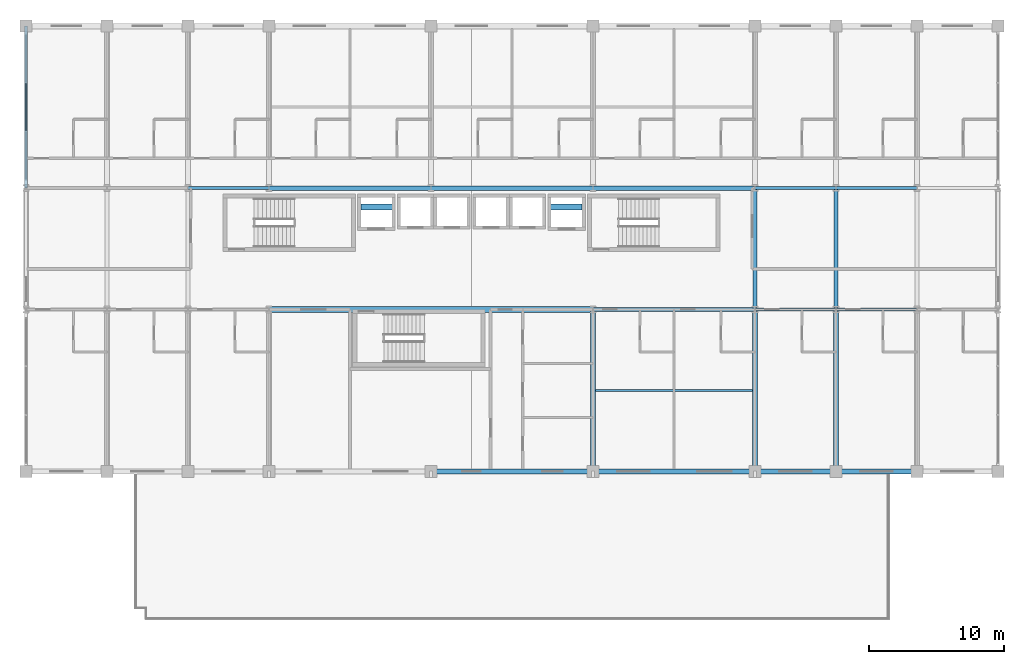
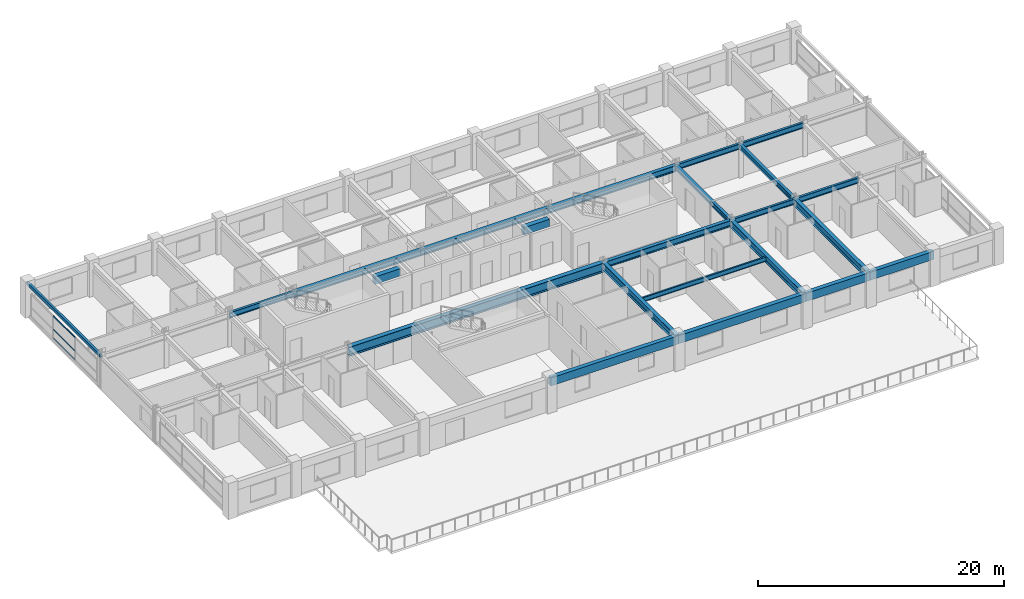
# One storey, part 9 of 24: 23 beams, 3 members, 1 element without a shape of its own.
"""IFC4 building model written with IfcOpenShell, lengths in metres."""

from ifc_helpers import new_model, si_unit, direction, frame, origin, origin_2d, place, context, subcontext, project, spatial, rectangle, hollow_rectangle, i_section, extrude, material, material_profile, profile_set, type_object, element, aggregate, save


model = new_model("IFC4")

# Units and contexts
model_context = context("Model", 3, precision=1e-05, world=origin(), true_north=direction((0.0, 1.0)))
body_context = subcontext(model_context, "Body", "Model", "MODEL_VIEW")
ifc_project = project(units=[si_unit("LENGTHUNIT", "METRE"), si_unit("AREAUNIT", "SQUARE_METRE"), si_unit("VOLUMEUNIT", "CUBIC_METRE"), si_unit("PLANEANGLEUNIT", "RADIAN"), si_unit("MASSUNIT", "GRAM", prefix="KILO")], contexts=[model_context])

# Site, building, storey
site_placement = place(None, origin())
site = spatial("IfcSite", under=ifc_project, at=site_placement, CompositionType="ELEMENT")
building_placement = place(site_placement, origin())
building = spatial("IfcBuilding", under=site, at=building_placement, Name="Kaldorvane Square Convention Centre", CompositionType="ELEMENT")
storey_placement = place(building_placement, frame((0.0, 0.0, 27.600006103515625)))
storey = spatial("IfcBuildingStorey", under=building, at=storey_placement, Name="L05", CompositionType="ELEMENT", Elevation=27.600006103515625)

# Beams
ifc_material_1 = material(Name="Steel ASTM A992 Gr. 50", Category="steel")
ifc_material_profile_1 = material_profile(ifc_material_1, i_section(OverallWidth=0.213897705078125, OverallDepth=0.549102783203125, WebThickness=0.0146942138671875, FlangeThickness=0.0236053466796875, FilletRadius=0.0126953125, at=origin_2d()), Name="W21X93")
ifc_profile_set_1 = profile_set([ifc_material_profile_1], Name="Steel ASTM A992 Gr. 50")
beam_type_1 = type_object("IfcBeamType", Name="BM-GR-W21X93", PredefinedType="BEAM", material=ifc_profile_set_1)
for number, where, z_axis, x_axis, name in (
    (1, (78.0, 96.0, 3.0114898681640625), (1.0, 0.0, 0.0), (0.0, 1.0, 0.0), "Primary Girder (L05)"),
    (2, (84.0, 96.0, 3.0114898681640625), (1.0, 0.0, 0.0), (0.0, 1.0, 0.0), "Primary Girder (L05)"),
    (3, (36.0, 105.0, 3.0114898681640625), (1.0, 0.0, 0.0), (0.0, 1.0, 0.0), "Primary Girder (L05)"),
    (4, (78.0, 105.0, 3.0114898681640625), (1.0, 0.0, 0.0), (0.0, 1.0, 0.0), "Primary Girder (L05)"),
    (5, (84.0, 105.0, 3.0114898681640625), (1.0, 0.0, 0.0), (0.0, 1.0, 0.0), "Primary Girder (L05)"),
):
    element("IfcBeam", number, at=place(storey_placement, frame(where, z_axis=z_axis, x_axis=x_axis)), inside=storey, type_object=beam_type_1, Name=name, PredefinedType="BEAM", context=body_context, shape_type="SweptSolid", body=[
        extrude(i_section(OverallWidth=0.213897705078125, OverallDepth=0.549102783203125, WebThickness=0.0146942138671875, FlangeThickness=0.0236053466796875, FilletRadius=0.0126953125, at=origin_2d()), origin(), (0.0, 0.0, 1.0), 6.0),
    ])
ifc_material_profile_2 = material_profile(ifc_material_1, i_section(OverallWidth=0.326507568359375, OverallDepth=0.621795654296875, WebThickness=0.0153961181640625, FlangeThickness=0.0243988037109375, FilletRadius=0.0126953125, at=origin_2d()), Name="W24X131")
ifc_profile_set_2 = profile_set([ifc_material_profile_2], Name="Steel ASTM A992 Gr. 50")
beam_type_2 = type_object("IfcBeamType", Name="BM-GR-W24X131", PredefinedType="BEAM", material=ifc_profile_set_2)
for number, where, z_axis, x_axis, name in (
    (6, (66.0, 96.0, 2.97509765625), (1.0, 0.0, 0.0), (0.0, 1.0, 0.0), "Primary Girder (L05)"),
    (7, (42.0, 105.0, 2.97509765625), (1.0, 0.0, 0.0), (0.0, 1.0, 0.0), "Primary Girder (L05)"),
    (8, (54.0, 105.0, 2.97509765625), (1.0, 0.0, 0.0), (0.0, 1.0, 0.0), "Primary Girder (L05)"),
    (9, (66.0, 105.0, 2.97509765625), (1.0, 0.0, 0.0), (0.0, 1.0, 0.0), "Primary Girder (L05)"),
):
    element("IfcBeam", number, at=place(storey_placement, frame(where, z_axis=z_axis, x_axis=x_axis)), inside=storey, type_object=beam_type_2, Name=name, PredefinedType="BEAM", context=body_context, shape_type="SweptSolid", body=[
        extrude(i_section(OverallWidth=0.326507568359375, OverallDepth=0.621795654296875, WebThickness=0.0153961181640625, FlangeThickness=0.0243988037109375, FilletRadius=0.0126953125, at=origin_2d()), origin(), (0.0, 0.0, 1.0), 12.0),
    ])
ifc_material_profile_3 = material_profile(ifc_material_1, i_section(OverallWidth=0.354705810546875, OverallDepth=0.69549560546875, WebThickness=0.0153961181640625, FlangeThickness=0.0251007080078125, FilletRadius=0.01519775390625, at=origin_2d()), Name="W27X146")
ifc_profile_set_3 = profile_set([ifc_material_profile_3], Name="Steel ASTM A992 Gr. 50")
beam_type_3 = type_object("IfcBeamType", Name="BM-GR-W27X146", PredefinedType="BEAM", material=ifc_profile_set_3)
for number, where, z_axis, x_axis, name in (
    (10, (66.0, 84.0, 2.93829345703125), (0.0, 1.0, 0.0), (-1.0, 0.0, 0.0), "Transverse Girder (L05)"),
    (11, (78.0, 84.0, 2.93829345703125), (0.0, 1.0, 0.0), (-1.0, 0.0, 0.0), "Transverse Girder (L05)"),
    (12, (84.0, 84.0, 2.93829345703125), (0.0, 1.0, 0.0), (-1.0, 0.0, 0.0), "Transverse Girder (L05)"),
):
    element("IfcBeam", number, at=place(storey_placement, frame(where, z_axis=z_axis, x_axis=x_axis)), inside=storey, type_object=beam_type_3, Name=name, PredefinedType="BEAM", context=body_context, shape_type="SweptSolid", body=[
        extrude(i_section(OverallWidth=0.354705810546875, OverallDepth=0.69549560546875, WebThickness=0.0153961181640625, FlangeThickness=0.0251007080078125, FilletRadius=0.01519775390625, at=origin_2d()), origin(), (0.0, 0.0, 1.0), 12.0),
    ])
ifc_material_profile_4 = material_profile(ifc_material_1, i_section(OverallWidth=0.418304443359375, OverallDepth=0.926605224609375, WebThickness=0.0193023681640625, FlangeThickness=0.0319976806640625, FilletRadius=0.0240936279296875, at=origin_2d()), Name="W36X231")
ifc_profile_set_4 = profile_set([ifc_material_profile_4], Name="Steel ASTM A992 Gr. 50")
beam_type_4 = type_object("IfcBeamType", Name="BM-GR-W36X231", PredefinedType="BEAM", material=ifc_profile_set_4)
beam_1_placement = place(storey_placement, frame((42.0, 96.0, 2.82269287109375), z_axis=(1.0, 0.0, 0.0), x_axis=(0.0, 1.0, 0.0)))
element("IfcBeam", 13, at=beam_1_placement, inside=storey, type_object=beam_type_4, Name="Primary Girder (L05)", PredefinedType="BEAM", context=body_context, shape_type="SweptSolid", body=[
    extrude(i_section(OverallWidth=0.418304443359375, OverallDepth=0.926605224609375, WebThickness=0.0193023681640625, FlangeThickness=0.0319976806640625, FilletRadius=0.0240936279296875, at=origin_2d()), origin(), (0.0, 0.0, 1.0), 24.0),
])
ifc_material_profile_5 = material_profile(ifc_material_1, i_section(OverallWidth=0.152801513671875, OverallDepth=0.4546966552734375, WebThickness=0.00799560546875, FlangeThickness=0.0133056640625, FilletRadius=0.01019287109375, at=origin_2d()), Name="W18X40")
ifc_profile_set_5 = profile_set([ifc_material_profile_5], Name="Steel ASTM A992 Gr. 50")
beam_type_5 = type_object("IfcBeamType", Name="BM-JS-W18X40", PredefinedType="JOIST", material=ifc_profile_set_5)
beam_2_placement = place(storey_placement, frame((66.17739868164062, 90.0, 3.0587005615234375), z_axis=(1.0, 0.0, 0.0), x_axis=(0.0, 1.0, 0.0)))
element("IfcBeam", 14, at=beam_2_placement, inside=storey, type_object=beam_type_5, Name="Secondary Floor Joist (L05)", PredefinedType="JOIST", context=body_context, shape_type="SweptSolid", body=[
    extrude(i_section(OverallWidth=0.152801513671875, OverallDepth=0.4546966552734375, WebThickness=0.00799560546875, FlangeThickness=0.0133056640625, FilletRadius=0.01019287109375, at=origin_2d()), origin(), (0.0, 0.0, 1.0), 11.64520263671875),
])
ifc_material_profile_6 = material_profile(ifc_material_1, i_section(OverallWidth=0.2799072265625, OverallDepth=0.462799072265625, WebThickness=0.01080322265625, FlangeThickness=0.017303466796875, FilletRadius=0.01019287109375, at=origin_2d()), Name="W18X76")
ifc_profile_set_6 = profile_set([ifc_material_profile_6], Name="Steel ASTM A992 Gr. 50")
beam_type_6 = type_object("IfcBeamType", Name="BM-JS-W18X76", PredefinedType="JOIST", material=ifc_profile_set_6)
for number, where, z_axis, x_axis, name in (
    (15, (78.0, 96.0, 3.054595947265625), (0.0, 1.0, 0.0), (-1.0, 0.0, 0.0), "Transverse Girder (L05)"),
    (16, (84.0, 96.0, 3.054595947265625), (0.0, 1.0, 0.0), (-1.0, 0.0, 0.0), "Transverse Girder (L05)"),
):
    element("IfcBeam", number, at=place(storey_placement, frame(where, z_axis=z_axis, x_axis=x_axis)), inside=storey, type_object=beam_type_6, Name=name, PredefinedType="JOIST", context=body_context, shape_type="SweptSolid", body=[
        extrude(i_section(OverallWidth=0.2799072265625, OverallDepth=0.462799072265625, WebThickness=0.01080322265625, FlangeThickness=0.017303466796875, FilletRadius=0.01019287109375, at=origin_2d()), origin(), (0.0, 0.0, 1.0), 9.0),
    ])
ifc_material_2 = material(Name="Concrete f'c = 42 MPa (Normalweight)", Category="concrete")
ifc_material_profile_7 = material_profile(ifc_material_2, rectangle(XDim=0.4499969482421875, YDim=0.75, at=origin_2d()), Name="RCLN750X450")
ifc_profile_set_7 = profile_set([ifc_material_profile_7], Name="Concrete f'c = 42 MPa (Normalweight)")
beam_type_7 = type_object("IfcBeamType", Name="BM-LN-RC750", PredefinedType="LINTEL", material=ifc_profile_set_7)
for number, where, z_axis, x_axis, name in (
    (17, (48.80000305175781, 103.60000610351562, 2.912994384765625), (1.0, 0.0, 0.0), (0.0, 1.0, 0.0), "Core Coupling Lintel W (L05)"),
    (18, (62.80000305175781, 103.60000610351562, 2.912994384765625), (1.0, 0.0, 0.0), (0.0, 1.0, 0.0), "Core Coupling Lintel E (L05)"),
):
    element("IfcBeam", number, at=place(storey_placement, frame(where, z_axis=z_axis, x_axis=x_axis)), inside=storey, type_object=beam_type_7, Name=name, PredefinedType="LINTEL", context=body_context, shape_type="SweptSolid", body=[
        extrude(rectangle(XDim=0.4499969482421875, YDim=0.75, at=origin_2d()), origin(), (0.0, 0.0, 1.0), 2.399993896484375),
    ])
ifc_material_3 = material(Name="Steel ASTM A500 Gr. C", Category="steel")
ifc_material_profile_8 = material_profile(ifc_material_3, hollow_rectangle(XDim=0.2032012939453125, YDim=0.3047943115234375, WallThickness=0.0088958740234375, at=origin_2d()), Name="HSS12X8X3/8")
ifc_profile_set_8 = profile_set([ifc_material_profile_8], Name="Steel ASTM A500 Gr. C")
beam_type_8 = type_object("IfcBeamType", Name="BM-SP-HSS12", PredefinedType="SPANDREL", material=ifc_profile_set_8)
beam_3_placement = place(storey_placement, frame((24.0, 105.0, 3.1335906982421875), z_axis=(0.0, 1.0, 0.0), x_axis=(-1.0, 0.0, 0.0)))
element("IfcBeam", 19, at=beam_3_placement, inside=storey, type_object=beam_type_8, Name="End Spandrel (L05)", PredefinedType="SPANDREL", context=body_context, shape_type="SweptSolid", body=[
    extrude(hollow_rectangle(XDim=0.2032012939453125, YDim=0.3047943115234375, WallThickness=0.0088958740234375, at=origin_2d()), origin(), (0.0, 0.0, 1.0), 12.0),
])
ifc_material_profile_9 = material_profile(ifc_material_2, rectangle(XDim=0.399993896484375, YDim=0.8000030517578125, at=origin_2d()), Name="RCSP800X400")
ifc_profile_set_9 = profile_set([ifc_material_profile_9], Name="Concrete f'c = 42 MPa (Normalweight)")
beam_type_9 = type_object("IfcBeamType", Name="BM-SP-RC800", PredefinedType="SPANDREL", material=ifc_profile_set_9)
for number, where, z_axis, x_axis, name in (
    (20, (54.0, 84.0, 2.885986328125), (1.0, 0.0, 0.0), (0.0, 1.0, 0.0), "Perimeter Spandrel (L05)"),
    (21, (66.0, 84.0, 2.885986328125), (1.0, 0.0, 0.0), (0.0, 1.0, 0.0), "Perimeter Spandrel (L05)"),
):
    element("IfcBeam", number, at=place(storey_placement, frame(where, z_axis=z_axis, x_axis=x_axis)), inside=storey, type_object=beam_type_9, Name=name, PredefinedType="SPANDREL", context=body_context, shape_type="SweptSolid", body=[
        extrude(rectangle(XDim=0.399993896484375, YDim=0.8000030517578125, at=origin_2d()), origin(), (0.0, 0.0, 1.0), 12.0),
    ])
for number, where, z_axis, x_axis, name in (
    (22, (78.0, 84.0, 2.885986328125), (1.0, 0.0, 0.0), (0.0, 1.0, 0.0), "Perimeter Spandrel (L05)"),
    (23, (84.0, 84.0, 2.885986328125), (1.0, 0.0, 0.0), (0.0, 1.0, 0.0), "Perimeter Spandrel (L05)"),
):
    element("IfcBeam", number, at=place(storey_placement, frame(where, z_axis=z_axis, x_axis=x_axis)), inside=storey, type_object=beam_type_9, Name=name, PredefinedType="SPANDREL", context=body_context, shape_type="SweptSolid", body=[
        extrude(rectangle(XDim=0.399993896484375, YDim=0.8000030517578125, at=origin_2d()), origin(), (0.0, 0.0, 1.0), 6.0),
    ])

# Curtain wall, members
ifc_material_4 = material(Name="Anodized Aluminum and Low-E Insulated Glazing", Category="aluminium")
curtain_wall_type = type_object("IfcCurtainWallType", Name="CW-UNI-HTL-B", PredefinedType="USERDEFINED", material=ifc_material_4)
curtain_wall_placement = place(storey_placement, origin())
curtain_wall = element("IfcCurtainWall", 24, at=curtain_wall_placement, inside=storey, type_object=curtain_wall_type, Name="Curtain Wall CW-11 (L05)", ObjectType="UNITISED GLAZING", PredefinedType="USERDEFINED")
ifc_material_profile_10 = material_profile(ifc_material_4, hollow_rectangle(XDim=0.05499267578125, YDim=0.1199951171875, WallThickness=0.0030059814453125, at=origin_2d()), Name="CWT-120X55")
ifc_profile_set_10 = profile_set([ifc_material_profile_10], Name="Anodized Aluminum and Low-E Insulated Glazing")
member_type = type_object("IfcMemberType", Name="CW-TRN-120", PredefinedType="USERDEFINED", material=ifc_profile_set_10)
member_1_placement = place(storey_placement, frame((24.0, 112.77000427246094, 0.177490234375), z_axis=(0.0, -1.0, 0.0), x_axis=(1.0, 0.0, 0.0)))
member_1 = element("IfcMember", 25, at=member_1_placement, type_object=member_type, Name="CW-11 transom 2.1", ObjectType="TRANSOM", PredefinedType="USERDEFINED", context=body_context, shape_type="SweptSolid", body=[
    extrude(hollow_rectangle(XDim=0.05499267578125, YDim=0.1199951171875, WallThickness=0.0030059814453125, at=origin_2d()), origin(), (0.0, 0.0, 1.0), 3.540008544921875),
])
member_2_placement = place(storey_placement, frame((24.0, 112.77000427246094, 1.04998779296875), z_axis=(0.0, -1.0, 0.0), x_axis=(1.0, 0.0, 0.0)))
member_2 = element("IfcMember", 26, at=member_2_placement, type_object=member_type, Name="CW-11 transom 2.2", ObjectType="TRANSOM", PredefinedType="USERDEFINED", context=body_context, shape_type="SweptSolid", body=[
    extrude(hollow_rectangle(XDim=0.05499267578125, YDim=0.1199951171875, WallThickness=0.0030059814453125, at=origin_2d()), origin(), (0.0, 0.0, 1.0), 3.540008544921875),
])
member_3_placement = place(storey_placement, frame((24.0, 112.77000427246094, 2.3824920654296875), z_axis=(0.0, -1.0, 0.0), x_axis=(1.0, 0.0, 0.0)))
member_3 = element("IfcMember", 27, at=member_3_placement, type_object=member_type, Name="CW-11 transom 2.3", ObjectType="TRANSOM", PredefinedType="USERDEFINED", context=body_context, shape_type="SweptSolid", body=[
    extrude(hollow_rectangle(XDim=0.05499267578125, YDim=0.1199951171875, WallThickness=0.0030059814453125, at=origin_2d()), origin(), (0.0, 0.0, 1.0), 3.540008544921875),
])
aggregate(curtain_wall, [member_1, member_2, member_3])

save(model, "model.ifc")
